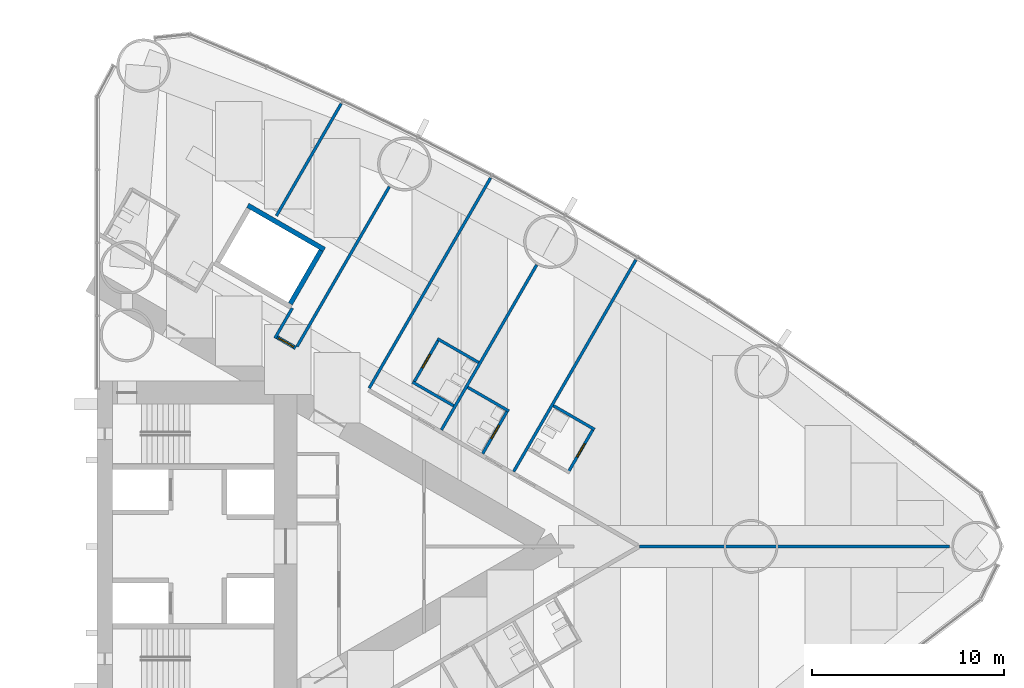
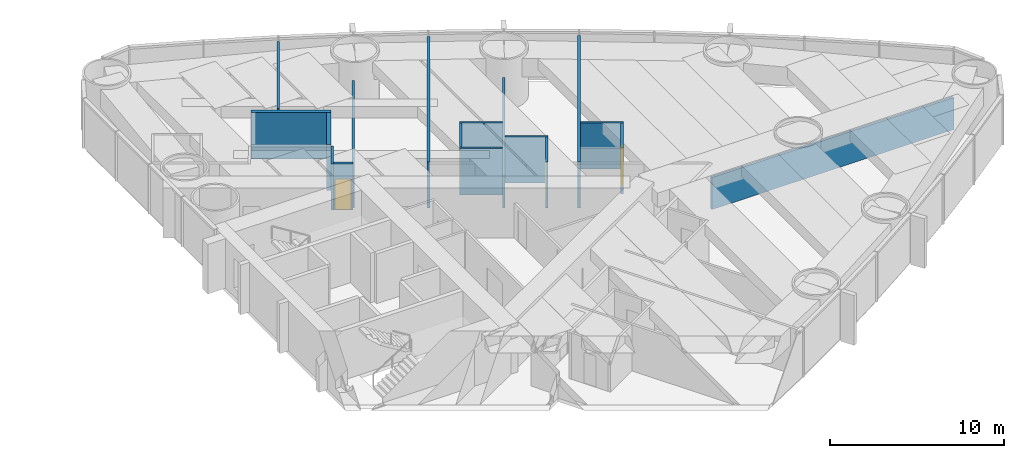
# One storey, part 16 of 19: 17 walls, 4 doors, 4 openings.
"""IFC4 building model written with IfcOpenShell, lengths in metres."""

from ifc_helpers import new_model, si_unit, direction, frame, frame_2d, origin, place, context, subcontext, project, spatial, rectangle, extrude, material, layer, layer_set, type_object, element, fill, save


model = new_model("IFC4")

# Units and contexts
model_context = context("Model", 3, precision=1e-05, world=origin(), true_north=direction((0.0, 1.0)))
body_context = subcontext(model_context, "Body", "Model", "MODEL_VIEW")
ifc_project = project(units=[si_unit("LENGTHUNIT", "METRE"), si_unit("AREAUNIT", "SQUARE_METRE"), si_unit("VOLUMEUNIT", "CUBIC_METRE"), si_unit("PLANEANGLEUNIT", "RADIAN"), si_unit("MASSUNIT", "GRAM", prefix="KILO")], contexts=[model_context])

# Site, building, storey
site_placement = place(None, origin())
site = spatial("IfcSite", under=ifc_project, at=site_placement, CompositionType="ELEMENT")
building_placement = place(site_placement, origin())
building = spatial("IfcBuilding", under=site, at=building_placement, Name="Lancet Gate Hotel", CompositionType="ELEMENT")
storey_placement = place(building_placement, frame((0.0, 0.0, 32.0)))
storey = spatial("IfcBuildingStorey", under=building, at=storey_placement, Name="L07", CompositionType="ELEMENT", Elevation=32.0)

# Wall
ifc_material_1 = material(Name="Moisture resistant board partition")
ifc_layer_1 = layer(ifc_material_1, 0.14990234375)
ifc_layer_set_1 = layer_set([ifc_layer_1], Name="Bathroom wall 150")
wall_type_1 = type_object("IfcWallType", Name="Bathroom wall 150", PredefinedType="PARTITIONING", material=ifc_layer_set_1)
wall_1_placement = place(storey_placement, frame((51.224365234375, 7.319580078125, 0.0), z_axis=(0.0, 0.0, 1.0), x_axis=(0.866031185235, -0.4999899861, 0.0)))
element("IfcWall", 1, at=wall_1_placement, inside=storey, type_object=wall_type_1, Name="T2 bathroom wall 150 L07", PredefinedType="PARTITIONING", context=body_context, shape_type="SweptSolid", body=[
    extrude(rectangle(XDim=2.47509765625, YDim=0.14990234375, at=frame_2d((1.237548828125, 0.0))), origin(), (0.0, 0.0, 1.0), 3.25),
])

# Wall, opening, door
wall_2_placement = place(storey_placement, frame((52.0029296875, 3.867919921875, 0.0), z_axis=(0.0, 0.0, 1.0), x_axis=(0.500047596559, 0.865997922154, 0.0)))
wall_2 = element("IfcWall", 2, at=wall_2_placement, inside=storey, type_object=wall_type_1, Name="T2 bathroom wall 150 L07", PredefinedType="PARTITIONING", context=body_context, shape_type="SweptSolid", body=[
    extrude(rectangle(XDim=2.599853515625, YDim=0.14990234375, at=frame_2d((1.2998046875, 0.0))), origin(), (0.0, 0.0, 1.0), 3.25),
])
opening_1_placement = place(wall_2_placement, frame((0.89990234375, 0.0, 0.0)))
opening_1 = element("IfcOpeningElement", 3, at=opening_1_placement, cuts=wall_2, Name="Opening 0758-B", PredefinedType="OPENING", context=body_context, shape_type="SweptSolid", body=[
    extrude(rectangle(XDim=0.800048828125, YDim=2.199951171875, at=frame_2d((0.39990234375, 1.10009765625))), frame((0.0, 0.0849609375, 0.0), z_axis=(0.0, -1.0, 0.0), x_axis=(1.0, 0.0, 0.0)), (0.0, 0.0, 1.0), 0.169921875),
])
ifc_material_2 = material(Name="Timber door set", Category="wood")
door_type_1 = type_object("IfcDoorType", Name="Bathroom door 800", OperationType="SINGLE_SWING_RIGHT", PredefinedType="DOOR", material=ifc_material_2)
door_1_placement = place(opening_1_placement, origin())
door_1 = element("IfcDoor", 4, at=door_1_placement, inside=storey, type_object=door_type_1, Name="0758-B", OperationType="SINGLE_SWING_RIGHT", OverallHeight=2.199951171875, OverallWidth=0.800048828125, PredefinedType="DOOR", context=body_context, shape_type="SweptSolid", body=[
    extrude(rectangle(XDim=0.800048828125, YDim=2.199951171875, at=frame_2d((0.39990234375, 1.10009765625))), frame((0.0, 0.02490234375, 0.0), z_axis=(0.0, -1.0, 0.0), x_axis=(1.0, 0.0, 0.0)), (0.0, 0.0, 1.0), 0.050048828125),
])
fill(opening_1, door_1)

# Wall
wall_3_placement = place(storey_placement, frame((46.767822265625, 8.27587890625, 0.0), z_axis=(0.0, 0.0, 1.0), x_axis=(0.866031185235, -0.4999899861, 0.0)))
element("IfcWall", 5, at=wall_3_placement, inside=storey, type_object=wall_type_1, Name="T2 bathroom wall 150 L07", PredefinedType="PARTITIONING", context=body_context, shape_type="SweptSolid", body=[
    extrude(rectangle(XDim=2.47509765625, YDim=0.14990234375, at=frame_2d((1.237548828125, 0.0))), origin(), (0.0, 0.0, 1.0), 3.25),
])

# Wall, opening, door
wall_4_placement = place(storey_placement, frame((47.54638671875, 4.82421875, 0.0), z_axis=(0.0, 0.0, 1.0), x_axis=(0.500006934395, 0.866021400173, 0.0)))
wall_4 = element("IfcWall", 6, at=wall_4_placement, inside=storey, type_object=wall_type_1, Name="T2 bathroom wall 150 L07", PredefinedType="PARTITIONING", context=body_context, shape_type="SweptSolid", body=[
    extrude(rectangle(XDim=2.60009765625, YDim=0.14990234375, at=frame_2d((1.300048828125, 0.0))), origin(), (0.0, 0.0, 1.0), 3.25),
])
opening_2_placement = place(wall_4_placement, frame((0.89990234375, 0.0, 0.0)))
opening_2 = element("IfcOpeningElement", 7, at=opening_2_placement, cuts=wall_4, Name="Opening 0760-B", PredefinedType="OPENING", context=body_context, shape_type="SweptSolid", body=[
    extrude(rectangle(XDim=0.800048828125, YDim=2.199951171875, at=frame_2d((0.39990234375, 1.10009765625))), frame((0.0, 0.0849609375, 0.0), z_axis=(0.0, -1.0, 0.0), x_axis=(1.0, 0.0, 0.0)), (0.0, 0.0, 1.0), 0.169921875),
])
door_2_placement = place(opening_2_placement, origin())
door_2 = element("IfcDoor", 8, at=door_2_placement, inside=storey, type_object=door_type_1, Name="0760-B", OperationType="SINGLE_SWING_RIGHT", OverallHeight=2.199951171875, OverallWidth=0.800048828125, PredefinedType="DOOR", context=body_context, shape_type="SweptSolid", body=[
    extrude(rectangle(XDim=0.800048828125, YDim=2.199951171875, at=frame_2d((0.39990234375, 1.10009765625))), frame((0.0, 0.02490234375, 0.0), z_axis=(0.0, -1.0, 0.0), x_axis=(1.0, 0.0, 0.0)), (0.0, 0.0, 1.0), 0.050048828125),
])
fill(opening_2, door_2)

# Wall
wall_5_placement = place(storey_placement, frame((45.194580078125, 10.80078125, 0.0), z_axis=(0.0, 0.0, 1.0), x_axis=(0.86604923931, -0.499958713387, 0.0)))
element("IfcWall", 9, at=wall_5_placement, inside=storey, type_object=wall_type_1, Name="T2 bathroom wall 150 L07", PredefinedType="PARTITIONING", context=body_context, shape_type="SweptSolid", body=[
    extrude(rectangle(XDim=2.474853515625, YDim=0.14990234375, at=frame_2d((1.2373046875, 0.0))), origin(), (0.0, 0.0, 1.0), 3.25),
])

# Wall, opening, door
wall_6_placement = place(storey_placement, frame((43.95947265625, 8.51171875, 0.0), z_axis=(0.0, 0.0, 1.0), x_axis=(0.500006934395, 0.866021400173, 0.0)))
wall_6 = element("IfcWall", 10, at=wall_6_placement, inside=storey, type_object=wall_type_1, Name="T2 bathroom wall 150 L07", PredefinedType="PARTITIONING", context=body_context, shape_type="SweptSolid", body=[
    extrude(rectangle(XDim=2.60009765625, YDim=0.14990234375, at=frame_2d((1.300048828125, 0.0))), origin(), (0.0, 0.0, 1.0), 3.25),
])
opening_3_placement = place(wall_6_placement, frame((0.89990234375, 0.0, 0.0)))
opening_3 = element("IfcOpeningElement", 11, at=opening_3_placement, cuts=wall_6, Name="Opening 0761-B", PredefinedType="OPENING", context=body_context, shape_type="SweptSolid", body=[
    extrude(rectangle(XDim=0.800048828125, YDim=2.199951171875, at=frame_2d((0.39990234375, 1.10009765625))), frame((0.0, 0.0849609375, 0.0), z_axis=(0.0, -1.0, 0.0), x_axis=(1.0, 0.0, 0.0)), (0.0, 0.0, 1.0), 0.169921875),
])
door_3_placement = place(opening_3_placement, origin())
door_3 = element("IfcDoor", 12, at=door_3_placement, inside=storey, type_object=door_type_1, Name="0761-B", OperationType="SINGLE_SWING_RIGHT", OverallHeight=2.199951171875, OverallWidth=0.800048828125, PredefinedType="DOOR", context=body_context, shape_type="SweptSolid", body=[
    extrude(rectangle(XDim=0.800048828125, YDim=2.199951171875, at=frame_2d((0.39990234375, 1.10009765625))), frame((0.0, 0.02490234375, 0.0), z_axis=(0.0, -1.0, 0.0), x_axis=(1.0, 0.0, 0.0)), (0.0, 0.0, 1.0), 0.050048828125),
])
fill(opening_3, door_3)

# Wall
wall_7_placement = place(storey_placement, frame((43.89453125, 8.54931640625, 0.0), z_axis=(0.0, 0.0, 1.0), x_axis=(0.866031185235, -0.4999899861, 0.0)))
element("IfcWall", 13, at=wall_7_placement, inside=storey, type_object=wall_type_1, Name="T2 bathroom wall 150 L07", PredefinedType="PARTITIONING", context=body_context, shape_type="SweptSolid", body=[
    extrude(rectangle(XDim=2.47509765625, YDim=0.14990234375, at=frame_2d((1.237548828125, 0.0))), origin(), (0.0, 0.0, 1.0), 3.25),
])

# Wall, opening, door
ifc_material_3 = material(Name="Gypsum board partition")
ifc_layer_2 = layer(ifc_material_3, 0.199951171875)
ifc_layer_set_2 = layer_set([ifc_layer_2], Name="Corridor wall 200")
wall_type_2 = type_object("IfcWallType", Name="Corridor wall 200", PredefinedType="PARTITIONING", material=ifc_layer_set_2)
wall_8_placement = place(storey_placement, frame((36.833984375, 10.8935546875, 0.0), z_axis=(0.0, 0.0, 1.0), x_axis=(0.866025463095, -0.499999897272, 0.0)))
wall_8 = element("IfcWall", 14, at=wall_8_placement, inside=storey, type_object=wall_type_2, Name="T2 corridor wall 200 L07", PredefinedType="PARTITIONING", context=body_context, shape_type="SweptSolid", body=[
    extrude(rectangle(XDim=1.142578125, YDim=0.199951171875, at=frame_2d((0.5712890625, 0.0))), origin(), (0.0, 0.0, 1.0), 3.25),
])
opening_4_placement = place(wall_8_placement, frame((0.121337890625, 0.0, 0.0)))
opening_4 = element("IfcOpeningElement", 15, at=opening_4_placement, cuts=wall_8, Name="Opening T2-L07-LO2", PredefinedType="OPENING", context=body_context, shape_type="SweptSolid", body=[
    extrude(rectangle(XDim=0.89990234375, YDim=2.199951171875, at=frame_2d((0.449951171875, 1.10009765625))), frame((0.0, 0.10986328125, 0.0), z_axis=(0.0, -1.0, 0.0), x_axis=(1.0, 0.0, 0.0)), (0.0, 0.0, 1.0), 0.219970703125),
])
ifc_material_4 = material(Name="Timber door set", Category="wood")
door_type_2 = type_object("IfcDoorType", Name="Guest room entry door 950", OperationType="SINGLE_SWING_LEFT", PredefinedType="DOOR", material=ifc_material_4)
door_4_placement = place(opening_4_placement, origin())
door_4 = element("IfcDoor", 16, at=door_4_placement, inside=storey, type_object=door_type_2, Name="T2-L07-LO2", OperationType="SINGLE_SWING_LEFT", OverallHeight=2.199951171875, OverallWidth=0.89990234375, PredefinedType="DOOR", context=body_context, shape_type="SweptSolid", body=[
    extrude(rectangle(XDim=0.89990234375, YDim=2.199951171875, at=frame_2d((0.449951171875, 1.10009765625))), frame((0.0, 0.02490234375, 0.0), z_axis=(0.0, -1.0, 0.0), x_axis=(1.0, 0.0, 0.0)), (0.0, 0.0, 1.0), 0.050048828125),
])
fill(opening_4, door_4)

# Walls
ifc_material_5 = material(Name="Gypsum board partition")
ifc_layer_3 = layer(ifc_material_5, 0.25)
ifc_layer_set_3 = layer_set([ifc_layer_3], Name="Lift shaft partition 250")
wall_type_3 = type_object("IfcWallType", Name="Lift shaft partition 250", PredefinedType="PARTITIONING", material=ifc_layer_set_3)
wall_9_placement = place(storey_placement, frame((35.33349609375, 17.73583984375, 0.0), z_axis=(0.0, 0.0, 1.0), x_axis=(0.866043305498, -0.49996899204, 0.0)))
element("IfcWall", 17, at=wall_9_placement, inside=storey, type_object=wall_type_3, Name="T2 lift shaft wall EX L07", PredefinedType="PARTITIONING", context=body_context, shape_type="SweptSolid", body=[
    extrude(rectangle(XDim=4.600341796875, YDim=0.25, at=frame_2d((2.30029296875, 0.0))), origin(), (0.0, 0.0, 1.0), 3.25),
])
wall_10_placement = place(storey_placement, frame((37.546630859375, 12.617919921875, 0.0), z_axis=(0.0, 0.0, 1.0), x_axis=(0.499929347863, 0.866066190972, 0.0)))
element("IfcWall", 18, at=wall_10_placement, inside=storey, type_object=wall_type_3, Name="T2 lift shaft wall EX L07", PredefinedType="PARTITIONING", context=body_context, shape_type="SweptSolid", body=[
    extrude(rectangle(XDim=3.20068359375, YDim=0.25, at=frame_2d((1.600341796875, 0.0))), origin(), (0.0, 0.0, 1.0), 3.25),
])
ifc_material_6 = material(Name="Gypsum board partition")
ifc_layer_4 = layer(ifc_material_6, 0.14990234375)
ifc_layer_set_4 = layer_set([ifc_layer_4], Name="Party wall 150")
wall_type_4 = type_object("IfcWallType", Name="Party wall 150", PredefinedType="PARTITIONING", material=ifc_layer_set_4)
wall_11_placement = place(storey_placement, frame((37.895263671875, 10.396484375, 0.0), z_axis=(0.0, 0.0, 1.0), x_axis=(0.499995616528, 0.866027934568, 0.0)))
element("IfcWall", 19, at=wall_11_placement, inside=storey, type_object=wall_type_4, Name="T2 party wall 150 L07", PredefinedType="PARTITIONING", context=body_context, shape_type="SweptSolid", body=[
    extrude(rectangle(XDim=9.59326171875, YDim=0.14990234375, at=frame_2d((4.796630859375, 0.0))), origin(), (0.0, 0.0, 1.0), 2.25),
])
wall_12_placement = place(storey_placement, frame((41.6474609375, 8.22998046875, 0.0), z_axis=(0.0, 0.0, 1.0), x_axis=(0.49998590462, 0.866033541603, 0.0)))
element("IfcWall", 20, at=wall_12_placement, inside=storey, type_object=wall_type_4, Name="T2 party wall 150 L07", PredefinedType="PARTITIONING", context=body_context, shape_type="SweptSolid", body=[
    extrude(rectangle(XDim=12.620849609375, YDim=0.14990234375, at=frame_2d((6.310546875, 0.0))), origin(), (0.0, 0.0, 1.0), 3.25),
])
wall_13_placement = place(storey_placement, frame((45.40283203125, 6.061767578125, 0.0), z_axis=(0.0, 0.0, 1.0), x_axis=(0.500013434677, 0.866017647131, 0.0)))
element("IfcWall", 21, at=wall_13_placement, inside=storey, type_object=wall_type_4, Name="T2 party wall 150 L07", PredefinedType="PARTITIONING", context=body_context, shape_type="SweptSolid", body=[
    extrude(rectangle(XDim=9.901611328125, YDim=0.14990234375, at=frame_2d((4.95068359375, 0.0))), origin(), (0.0, 0.0, 1.0), 2.25),
])
wall_14_placement = place(storey_placement, frame((49.159423828125, 3.892822265625, 0.0), z_axis=(0.0, 0.0, 1.0), x_axis=(0.499995664361, 0.866027906952, 0.0)))
element("IfcWall", 22, at=wall_14_placement, inside=storey, type_object=wall_type_4, Name="T2 party wall 150 L07", PredefinedType="PARTITIONING", context=body_context, shape_type="SweptSolid", body=[
    extrude(rectangle(XDim=12.71142578125, YDim=0.14990234375, at=frame_2d((6.355712890625, 0.0))), origin(), (0.0, 0.0, 1.0), 3.25),
])
wall_15_placement = place(storey_placement, frame((55.7021484375, 0.0, 0.0), z_axis=(0.0, 0.0, 1.0), x_axis=(1.0, 0.0, 0.0)))
element("IfcWall", 23, at=wall_15_placement, inside=storey, type_object=wall_type_4, Name="T2 party wall 150 L07", PredefinedType="PARTITIONING", context=body_context, shape_type="SweptSolid", body=[
    extrude(rectangle(XDim=16.116943359375, YDim=0.14990234375, at=frame_2d((8.05859375, 0.0))), origin(), (0.0, 0.0, 1.0), 2.25),
])
wall_16_placement = place(storey_placement, frame((36.823974609375, 17.19287109375, 0.0), z_axis=(0.0, 0.0, 1.0), x_axis=(0.500027691974, 0.866009415226, 0.0)))
element("IfcWall", 24, at=wall_16_placement, inside=storey, type_object=wall_type_4, Name="T2 party wall 150 L07", PredefinedType="PARTITIONING", context=body_context, shape_type="SweptSolid", body=[
    extrude(rectangle(XDim=6.73876953125, YDim=0.14990234375, at=frame_2d((3.369384765625, 0.0))), origin(), (0.0, 0.0, 1.0), 3.25),
])
ifc_material_7 = material(Name="Gypsum board partition")
ifc_layer_5 = layer(ifc_material_7, 0.14990234375)
ifc_layer_set_5 = layer_set([ifc_layer_5], Name="Service room wall 150")
wall_type_5 = type_object("IfcWallType", Name="Service room wall 150", PredefinedType="PARTITIONING", material=ifc_layer_set_5)
wall_17_placement = place(storey_placement, frame((36.7451171875, 10.829345703125, 0.0), z_axis=(0.0, 0.0, 1.0), x_axis=(0.499921502396, 0.866070719654, 0.0)))
element("IfcWall", 25, at=wall_17_placement, inside=storey, type_object=wall_type_5, Name="T2 service room wall 150 L07", PredefinedType="PARTITIONING", context=body_context, shape_type="SweptSolid", body=[
    extrude(rectangle(XDim=1.804931640625, YDim=0.14990234375, at=frame_2d((0.90234375, 0.0))), origin(), (0.0, 0.0, 1.0), 3.25),
])

save(model, "model.ifc")
